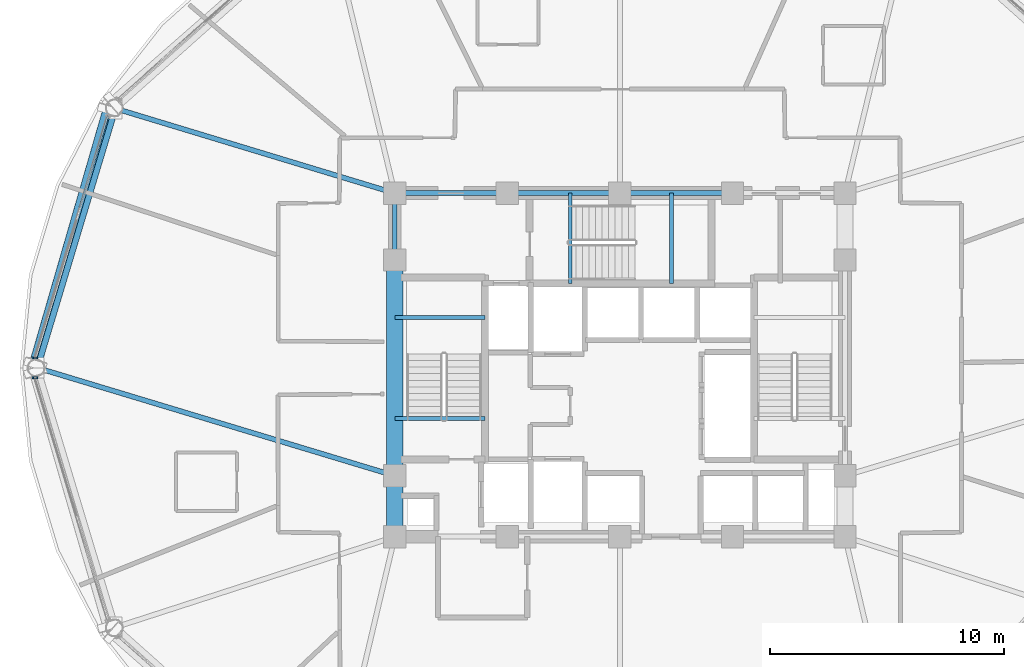
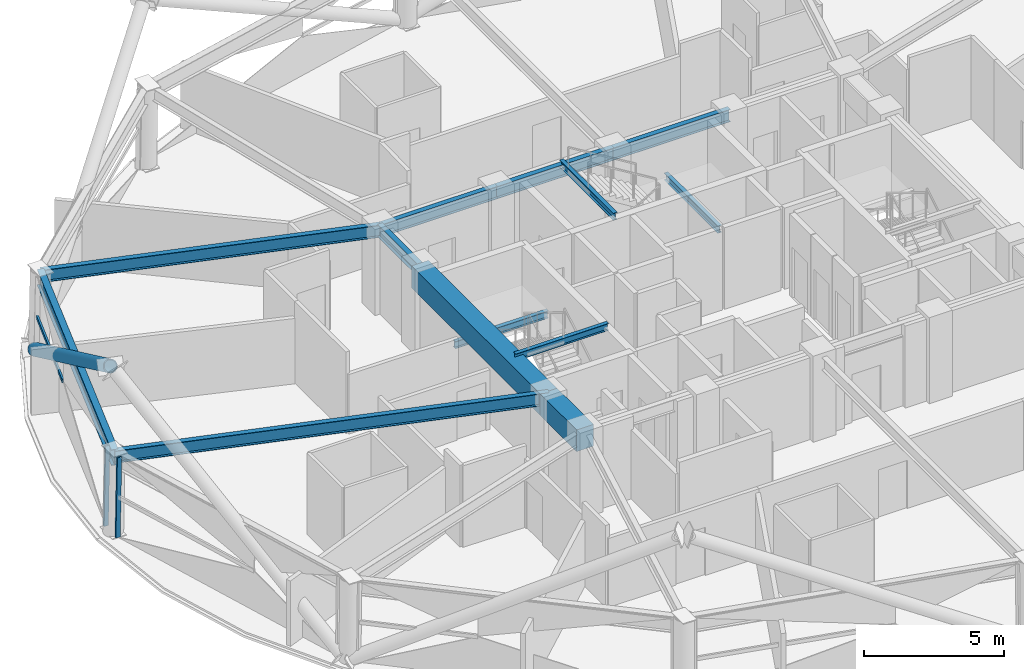
# One storey, part 4 of 17: 13 beams, 4 members, 2 elements without a shape of their own.
"""IFC4 building model written with IfcOpenShell, lengths in metres."""

from ifc_helpers import new_model, si_unit, direction, frame, origin, origin_2d, place, context, subcontext, project, spatial, rectangle, hollow_rectangle, hollow_circle, i_section, extrude, material, layer, layer_set, material_profile, profile_set, type_object, element, aggregate, save


model = new_model("IFC4")

# Units and contexts
model_context = context("Model", 3, precision=1e-05, world=origin(), true_north=direction((0.0, 1.0)))
body_context = subcontext(model_context, "Body", "Model", "MODEL_VIEW")
ifc_project = project(units=[si_unit("LENGTHUNIT", "METRE"), si_unit("AREAUNIT", "SQUARE_METRE"), si_unit("VOLUMEUNIT", "CUBIC_METRE"), si_unit("PLANEANGLEUNIT", "RADIAN"), si_unit("MASSUNIT", "GRAM", prefix="KILO")], contexts=[model_context])

# Site, building, storey
site_placement = place(None, origin())
site = spatial("IfcSite", under=ifc_project, at=site_placement, CompositionType="ELEMENT")
building_placement = place(site_placement, origin())
building = spatial("IfcBuilding", under=site, at=building_placement, Name="Vantalir Tower", CompositionType="ELEMENT")
storey_placement = place(building_placement, frame((0.0, 0.0, 142.199951171875)))
storey = spatial("IfcBuildingStorey", under=building, at=storey_placement, Name="L35", CompositionType="ELEMENT", Elevation=142.199951171875)

# Beams
ifc_material_1 = material(Name="Concrete C60/75", Category="concrete")
ifc_material_profile_1 = material_profile(ifc_material_1, rectangle(XDim=0.699951171875, YDim=0.949951171875, at=origin_2d()), Name="Concrete C60/75")
ifc_profile_set_1 = profile_set([ifc_material_profile_1], Name="Concrete C60/75")
beam_type_1 = type_object("IfcBeamType", Name="BM-CB-700x950", PredefinedType="USERDEFINED", material=ifc_profile_set_1)
beam_1_placement = place(storey_placement, frame((21.89990234375, 29.60009765625, 3.094970703125), z_axis=(0.0, -1.0, 0.0), x_axis=(1.0, 0.0, 0.0)))
element("IfcBeam", 1, at=beam_1_placement, inside=storey, type_object=beam_type_1, Name="L35 Core Coupling Girder 13", ObjectType="GIRDER", PredefinedType="USERDEFINED", context=body_context, shape_type="SweptSolid", body=[
    extrude(rectangle(XDim=0.699951171875, YDim=0.949951171875, at=origin_2d()), origin(), (0.0, 0.0, 1.0), 9.2001953125),
])
beam_2_placement = place(storey_placement, frame((21.89990234375, 20.39990234375, 3.094970703125), z_axis=(0.0, -1.0, 0.0), x_axis=(1.0, 0.0, 0.0)))
element("IfcBeam", 2, at=beam_2_placement, inside=storey, type_object=beam_type_1, Name="L35 Core Coupling Girder 14", ObjectType="GIRDER", PredefinedType="USERDEFINED", context=body_context, shape_type="SweptSolid", body=[
    extrude(rectangle(XDim=0.699951171875, YDim=0.949951171875, at=origin_2d()), origin(), (0.0, 0.0, 1.0), 2.599853515625),
])
ifc_material_2 = material(Name="Steel S355", Category="steel")
ifc_material_profile_2 = material_profile(ifc_material_2, i_section(OverallWidth=0.166015625, OverallDepth=0.306884765625, WebThickness=0.006591796875, FlangeThickness=0.01171875, at=origin_2d()), Name="Steel S355")
ifc_profile_set_2 = profile_set([ifc_material_profile_2], Name="Steel S355")
beam_type_2 = type_object("IfcBeamType", Name="BM-JS-305x165", PredefinedType="JOIST", material=ifc_profile_set_2)
for number, where, z_axis, x_axis, name in (
    (3, (21.89990234375, 22.8349609375, 3.595947265625), (1.0, 0.0, 0.0), (0.0, 1.0, 0.0), "L36 Stair ST1 Well Nosing Trimmer Beam"),
    (4, (21.89990234375, 27.14501953125, 1.52197265625), (1.0, 0.0, 0.0), (0.0, 1.0, 0.0), "L35 Stair ST1 Half-Landing Support Beam"),
):
    element("IfcBeam", number, at=place(storey_placement, frame(where, z_axis=z_axis, x_axis=x_axis)), inside=storey, type_object=beam_type_2, Name=name, PredefinedType="JOIST", context=body_context, shape_type="SweptSolid", body=[
        extrude(i_section(OverallWidth=0.166015625, OverallDepth=0.306884765625, WebThickness=0.006591796875, FlangeThickness=0.01171875, at=origin_2d()), origin(), (0.0, 0.0, 1.0), 3.840087890625),
    ])
for number, where, z_axis, x_axis, name in (
    (5, (29.385009765625, 28.60009765625, 3.595947265625), (0.0, 1.0, 0.0), (-1.0, 0.0, 0.0), "L36 Stair ST3 Well Nosing Trimmer Beam"),
    (6, (33.695068359375, 28.60009765625, 1.52197265625), (0.0, 1.0, 0.0), (-1.0, 0.0, 0.0), "L35 Stair ST3 Half-Landing Support Beam"),
):
    element("IfcBeam", number, at=place(storey_placement, frame(where, z_axis=z_axis, x_axis=x_axis)), inside=storey, type_object=beam_type_2, Name=name, PredefinedType="JOIST", context=body_context, shape_type="SweptSolid", body=[
        extrude(i_section(OverallWidth=0.166015625, OverallDepth=0.306884765625, WebThickness=0.006591796875, FlangeThickness=0.01171875, at=origin_2d()), origin(), (0.0, 0.0, 1.0), 3.849853515625),
    ])
ifc_material_profile_3 = material_profile(ifc_material_2, i_section(OverallWidth=0.2109375, OverallDepth=0.5390625, WebThickness=0.01171875, FlangeThickness=0.018798828125, at=origin_2d()), Name="Steel S355")
ifc_profile_set_3 = profile_set([ifc_material_profile_3], Name="Steel S355")
beam_type_3 = type_object("IfcBeamType", Name="BM-RB-533x210", PredefinedType="BEAM", material=ifc_profile_set_3)
for number, where, z_axis, x_axis, name in (
    (7, (36.300048828125, 32.449951171875, 3.301025390625), (-1.0, 0.0, 0.0), (0.0, -1.0, 0.0), "L35 Core Coupling Girder 09"),
    (8, (31.5, 32.449951171875, 3.301025390625), (-1.0, 0.0, 0.0), (0.0, -1.0, 0.0), "L35 Core Coupling Girder 10"),
    (9, (26.699951171875, 32.449951171875, 3.301025390625), (-1.0, 0.0, 0.0), (0.0, -1.0, 0.0), "L35 Core Coupling Girder 11"),
):
    element("IfcBeam", number, at=place(storey_placement, frame(where, z_axis=z_axis, x_axis=x_axis)), inside=storey, type_object=beam_type_3, Name=name, PredefinedType="BEAM", context=body_context, shape_type="SweptSolid", body=[
        extrude(i_section(OverallWidth=0.2109375, OverallDepth=0.5390625, WebThickness=0.01171875, FlangeThickness=0.018798828125, at=origin_2d()), origin(), (0.0, 0.0, 1.0), 4.800048828125),
    ])
beam_3_placement = place(storey_placement, frame((21.89990234375, 32.449951171875, 3.301025390625), z_axis=(0.0, -1.0, 0.0), x_axis=(1.0, 0.0, 0.0)))
element("IfcBeam", 10, at=beam_3_placement, inside=storey, type_object=beam_type_3, Name="L35 Core Coupling Girder 12", PredefinedType="BEAM", context=body_context, shape_type="SweptSolid", body=[
    extrude(i_section(OverallWidth=0.2109375, OverallDepth=0.5390625, WebThickness=0.01171875, FlangeThickness=0.018798828125, at=origin_2d()), origin(), (0.0, 0.0, 1.0), 2.849853515625),
])
beam_4_placement = place(storey_placement, frame((9.98388671875, 36.06201171875, 3.301025390625), z_axis=(0.956998840163, -0.290091743981, 0.0), x_axis=(0.290091743981, 0.956998840163, 0.0)))
element("IfcBeam", 11, at=beam_4_placement, inside=storey, type_object=beam_type_3, Name="L35 Radial Floor Beam 06", PredefinedType="BEAM", context=body_context, shape_type="SweptSolid", body=[
    extrude(i_section(OverallWidth=0.2109375, OverallDepth=0.5390625, WebThickness=0.01171875, FlangeThickness=0.018798828125, at=origin_2d()), origin(), (0.0, 0.0, 1.0), 12.451416015625),
])
beam_5_placement = place(storey_placement, frame((6.655029296875, 25.0, 3.301025390625), z_axis=(0.957364679393, -0.288882105106, 0.0), x_axis=(0.288882105106, 0.957364679393, 0.0)))
element("IfcBeam", 12, at=beam_5_placement, inside=storey, type_object=beam_type_3, Name="L35 Radial Floor Beam 07", PredefinedType="BEAM", context=body_context, shape_type="SweptSolid", body=[
    extrude(i_section(OverallWidth=0.2109375, OverallDepth=0.5390625, WebThickness=0.01171875, FlangeThickness=0.018798828125, at=origin_2d()), origin(), (0.0, 0.0, 1.0), 15.923828125),
])
ifc_material_3 = material(Name="Steel S460", Category="steel")
ifc_material_profile_4 = material_profile(ifc_material_3, i_section(OverallWidth=0.256103515625, OverallDepth=0.693115234375, WebThickness=0.014404296875, FlangeThickness=0.023681640625, at=origin_2d()), Name="Steel S460")
ifc_profile_set_4 = profile_set([ifc_material_profile_4], Name="Steel S460")
beam_type_4 = type_object("IfcBeamType", Name="BM-RG-686x254", PredefinedType="USERDEFINED", material=ifc_profile_set_4)
beam_6_placement = place(storey_placement, frame((9.98388671875, 36.06201171875, 3.22412109375), z_axis=(-0.288162119412, -0.957581637739, 0.0), x_axis=(0.957581637739, -0.288162119412, 0.0)))
element("IfcBeam", 13, at=beam_6_placement, inside=storey, type_object=beam_type_4, Name="L35 Circumferential Ring Girder 06", ObjectType="GIRDER", PredefinedType="USERDEFINED", context=body_context, shape_type="SweptSolid", body=[
    extrude(i_section(OverallWidth=0.256103515625, OverallDepth=0.693115234375, WebThickness=0.014404296875, FlangeThickness=0.023681640625, at=origin_2d()), origin(), (0.0, 0.0, 1.0), 11.552001953125),
])

# Curtain wall, member
ifc_material_4 = material(Name="Champagne-silver PVDF aluminium and double-silver Low-E glass", Category="aluminium")
ifc_layer = layer(ifc_material_4, 0.199951171875)
ifc_layer_set = layer_set([ifc_layer], Name="Champagne-silver PVDF aluminium and double-silver Low-E glass")
curtain_wall_type = type_object("IfcCurtainWallType", Name="CW-DIAMOND-Z2", PredefinedType="USERDEFINED", material=ifc_layer_set)
curtain_wall_1_placement = place(storey_placement, origin())
curtain_wall_1 = element("IfcCurtainWall", 14, at=curtain_wall_1_placement, inside=storey, type_object=curtain_wall_type, Name="L35 Quilted Pyramid-Diamond Curtain Wall S06", ObjectType="UNITISED CURTAIN WALL", PredefinedType="USERDEFINED")
ifc_material_5 = material(Name="Champagne-silver PVDF aluminium 6063-T6", Category="aluminium")
ifc_material_profile_5 = material_profile(ifc_material_5, hollow_rectangle(XDim=0.074951171875, YDim=0.179931640625, WallThickness=0.00390625, at=origin_2d()), Name="Champagne-silver PVDF aluminium 6063-T6")
ifc_profile_set_5 = profile_set([ifc_material_profile_5], Name="Champagne-silver PVDF aluminium 6063-T6")
member_type_1 = type_object("IfcMemberType", Name="CWM-180x75", PredefinedType="MULLION", material=ifc_profile_set_5)
member_1_placement = place(storey_placement, frame((6.530029296875, 25.4208984375, 0.045166015625), z_axis=(0.017816730913, 0.0, 0.999841269452), x_axis=(0.0, 1.0, 0.0)))
member_1 = element("IfcMember", 15, at=member_1_placement, type_object=member_type_1, Name="CW-L35-S06 Mullion 2", PredefinedType="MULLION", context=body_context, shape_type="SweptSolid", body=[
    extrude(hollow_rectangle(XDim=0.074951171875, YDim=0.179931640625, WallThickness=0.00390625, at=origin_2d()), origin(), (0.0, 0.0, 1.0), 3.48046875),
])

curtain_wall_2_placement = place(storey_placement, origin())
curtain_wall_2 = element("IfcCurtainWall", 16, at=curtain_wall_2_placement, inside=storey, type_object=curtain_wall_type, Name="L35 Quilted Pyramid-Diamond Curtain Wall S07", ObjectType="UNITISED CURTAIN WALL", PredefinedType="USERDEFINED")
member_2_placement = place(storey_placement, frame((6.530029296875, 24.5791015625, 0.045166015625), z_axis=(0.017816730913, 0.0, 0.999841269452), x_axis=(0.0, 1.0, 0.0)))
member_2 = element("IfcMember", 17, at=member_2_placement, type_object=member_type_1, Name="CW-L35-S07 Mullion 1", PredefinedType="MULLION", context=body_context, shape_type="SweptSolid", body=[
    extrude(hollow_rectangle(XDim=0.074951171875, YDim=0.179931640625, WallThickness=0.00390625, at=origin_2d()), origin(), (0.0, 0.0, 1.0), 3.48046875),
])
aggregate(curtain_wall_2, [member_2])

# Member
ifc_material_profile_6 = material_profile(ifc_material_5, hollow_rectangle(XDim=0.074951171875, YDim=0.159912109375, WallThickness=0.00390625, at=origin_2d()), Name="Champagne-silver PVDF aluminium 6063-T6")
ifc_profile_set_6 = profile_set([ifc_material_profile_6], Name="Champagne-silver PVDF aluminium 6063-T6")
member_type_2 = type_object("IfcMemberType", Name="CWT-160x75", PredefinedType="USERDEFINED", material=ifc_profile_set_6)
member_3_placement = place(storey_placement, frame((9.6650390625, 35.75, 1.78515625), z_axis=(-0.293332252857, -0.956010559269, 0.0), x_axis=(0.956010559269, -0.293332252857, 0.0)))
member_3 = element("IfcMember", 18, at=member_3_placement, type_object=member_type_2, Name="CW-L35-S06 Pyramid Fold Ridge Transom", ObjectType="TRANSOM", PredefinedType="USERDEFINED", context=body_context, shape_type="SweptSolid", body=[
    extrude(hollow_rectangle(XDim=0.074951171875, YDim=0.159912109375, WallThickness=0.00390625, at=origin_2d()), origin(), (0.0, 0.0, 1.0), 4.09814453125),
])

aggregate(curtain_wall_1, [member_1, member_3])

ifc_material_profile_7 = material_profile(ifc_material_3, hollow_circle(Radius=0.260009765625, WallThickness=0.0380859375, at=origin_2d()), Name="Steel S460")
ifc_profile_set_7 = profile_set([ifc_material_profile_7], Name="Steel S460")
member_type_3 = type_object("IfcMemberType", Name="MEM-DB-520x38", PredefinedType="BRACE", material=ifc_profile_set_7)
member_4_placement = place(storey_placement, frame((9.712890625, 36.0048828125, 0.195068359375), z_axis=(-0.236875839523, -0.818232926817, 0.523817443508), x_axis=(0.96055832564, -0.278078591486, 0.0)))
element("IfcMember", 19, at=member_4_placement, inside=storey, type_object=member_type_3, Name="L35 Perimeter S460 Diagrid Brace R16L", PredefinedType="BRACE", context=body_context, shape_type="SweptSolid", body=[
    extrude(hollow_circle(Radius=0.260009765625, WallThickness=0.0380859375, at=origin_2d()), origin(), (0.0, 0.0, 1.0), 13.229736328125),
])

save(model, "model.ifc")
